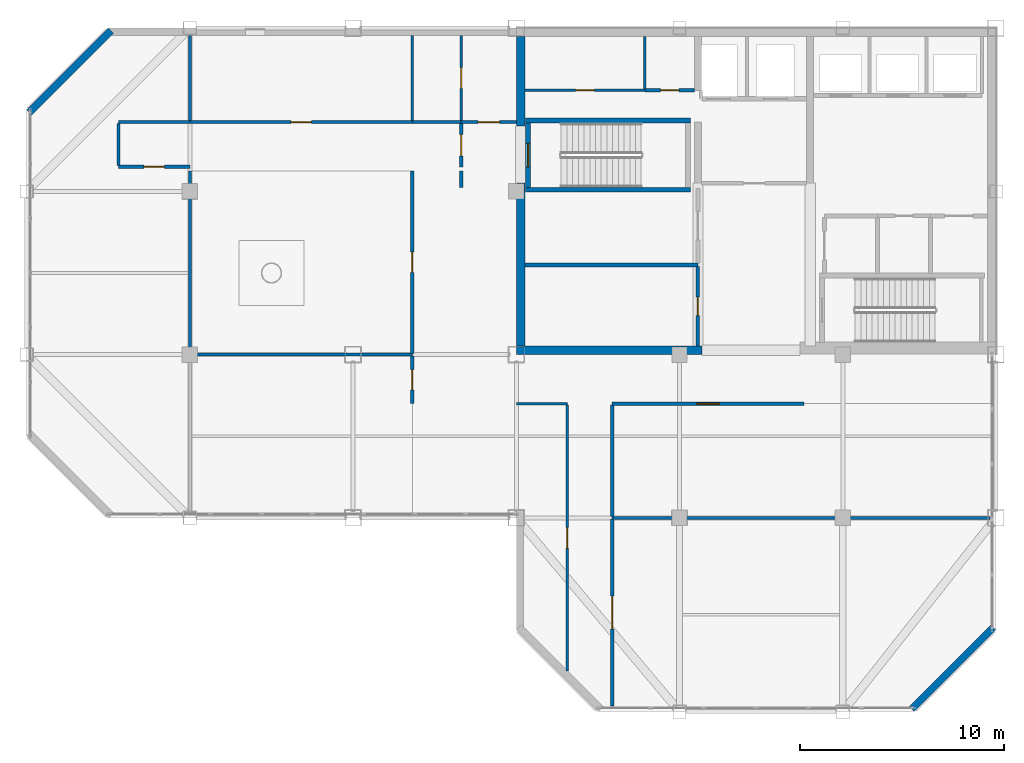
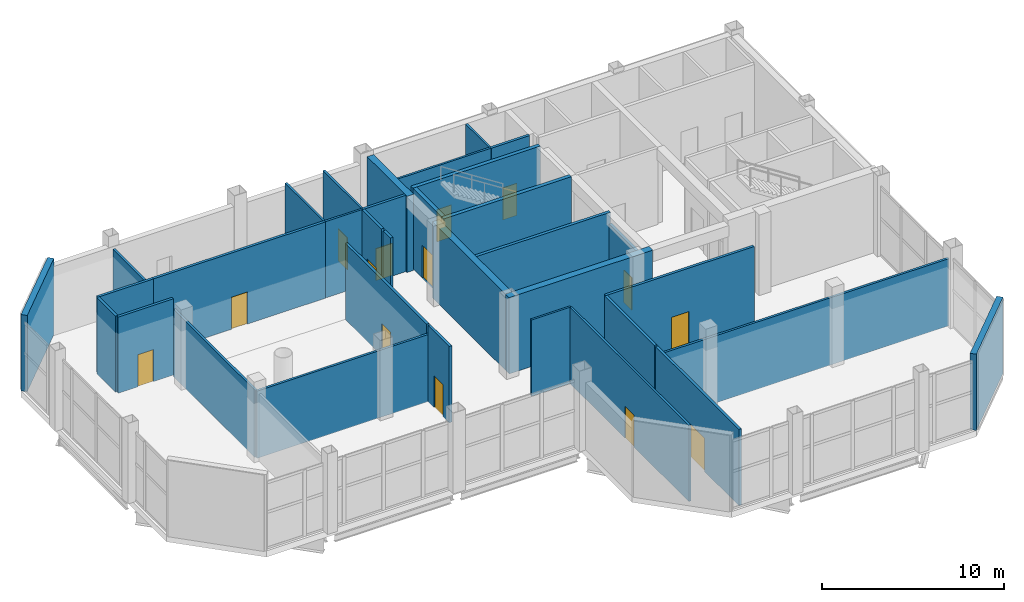
# One storey, part 12 of 17: 34 walls, 14 doors, 14 openings.
"""IFC4 building model written with IfcOpenShell, lengths in metres."""

from ifc_helpers import new_model, si_unit, direction, frame, frame_2d, origin, place, context, subcontext, project, spatial, rectangle, extrude, material, layer, layer_set, type_object, element, fill, save


model = new_model("IFC4")

# Units and contexts
model_context = context("Model", 3, precision=1e-05, world=origin(), true_north=direction((0.0, 1.0)))
body_context = subcontext(model_context, "Body", "Model", "MODEL_VIEW")
ifc_project = project(units=[si_unit("LENGTHUNIT", "METRE"), si_unit("AREAUNIT", "SQUARE_METRE"), si_unit("VOLUMEUNIT", "CUBIC_METRE"), si_unit("PLANEANGLEUNIT", "RADIAN"), si_unit("MASSUNIT", "GRAM", prefix="KILO")], contexts=[model_context])

# Site, building, storey
site_placement = place(None, origin())
site = spatial("IfcSite", under=ifc_project, at=site_placement, CompositionType="ELEMENT")
building_placement = place(site_placement, origin())
building = spatial("IfcBuilding", under=site, at=building_placement, Name="Qianrong Seaharbour Tower", CompositionType="ELEMENT")
storey_placement = place(building_placement, frame((0.0, 0.0, 373.0)))
storey = spatial("IfcBuildingStorey", under=building, at=storey_placement, Name="L90", CompositionType="ELEMENT", Elevation=373.0)

# Walls
ifc_material_1 = material(Name="Concrete C50/60", Category="concrete")
ifc_layer_1 = layer(ifc_material_1, 0.419921875)
ifc_layer_set_1 = layer_set([ifc_layer_1], Name="Concrete C50/60")
wall_type_1 = type_object("IfcWallType", Name="WALL-CORE-420", PredefinedType="SHEAR", material=ifc_layer_set_1)
wall_1_placement = place(storey_placement, frame((40.7099609375, 36.419921875, 0.0), z_axis=(0.0, 0.0, 1.0), x_axis=(0.0, 1.0, 0.0)))
element("IfcWall", 1, at=wall_1_placement, inside=storey, type_object=wall_type_1, Name="L90 West Core Shear Wall South", PredefinedType="SHEAR", context=body_context, shape_type="SweptSolid", body=[
    extrude(rectangle(XDim=7.97998046875, YDim=0.419921875, at=frame_2d((3.989990234375, 0.0))), origin(), (0.0, 0.0, 1.0), 5.110107421875),
])
wall_2_placement = place(storey_placement, frame((40.7099609375, 47.199951171875, 0.0), z_axis=(0.0, 0.0, 1.0), x_axis=(0.0, 1.0, 0.0)))
element("IfcWall", 2, at=wall_2_placement, inside=storey, type_object=wall_type_1, Name="L90 West Core Shear Wall North", PredefinedType="SHEAR", context=body_context, shape_type="SweptSolid", body=[
    extrude(rectangle(XDim=4.380126953125, YDim=0.419921875, at=frame_2d((2.18994140625, 0.0))), origin(), (0.0, 0.0, 1.0), 5.110107421875),
])
wall_3_placement = place(storey_placement, frame((40.5, 36.2099609375, 0.0), z_axis=(0.0, 0.0, 1.0), x_axis=(1.0, 0.0, 0.0)))
element("IfcWall", 3, at=wall_3_placement, inside=storey, type_object=wall_type_1, Name="L90 South Core Shear Wall S1", PredefinedType="SHEAR", context=body_context, shape_type="SweptSolid", body=[
    extrude(rectangle(XDim=9.10009765625, YDim=0.419921875, at=frame_2d((4.550048828125, 0.0))), origin(), (0.0, 0.0, 1.0), 5.110107421875),
])

# Wall, opening, door
ifc_material_2 = material(Name="Fire-rated acoustic gypsum board partition")
ifc_layer_2 = layer(ifc_material_2, 0.1650390625)
ifc_layer_set_2 = layer_set([ifc_layer_2], Name="Fire-rated acoustic gypsum board partition")
wall_type_2 = type_object("IfcWallType", Name="WALL-CORR-PART-165", PredefinedType="PARTITIONING", material=ifc_layer_set_2)
wall_4_placement = place(storey_placement, frame((37.800048828125, 47.39990234375, 0.0), z_axis=(0.0, 0.0, 1.0), x_axis=(1.0, 0.0, 0.0)))
wall_4 = element("IfcWall", 4, at=wall_4_placement, inside=storey, type_object=wall_type_2, Name="L90 Interior Partition Wall 001", PredefinedType="PARTITIONING", context=body_context, shape_type="SweptSolid", body=[
    extrude(rectangle(XDim=2.699951171875, YDim=0.1650390625, at=frame_2d((1.35009765625, 0.0))), origin(), (0.0, 0.0, 1.0), 5.110107421875),
])
opening_1_placement = place(wall_4_placement, frame((0.824951171875, 0.0, 0.0)))
opening_1 = element("IfcOpeningElement", 5, at=opening_1_placement, cuts=wall_4, Name="Opening DC-01", PredefinedType="OPENING", context=body_context, shape_type="SweptSolid", body=[
    extrude(rectangle(XDim=1.050048828125, YDim=2.14990234375, at=frame_2d((0.52490234375, 1.074951171875))), frame((0.0, 0.092529296875, 0.0), z_axis=(0.0, -1.0, 0.0), x_axis=(1.0, 0.0, 0.0)), (0.0, 0.0, 1.0), 0.18505859375),
])
ifc_material_3 = material(Name="Acoustic timber and galvanized steel fire door assembly", Category="steel")
door_type_1 = type_object("IfcDoorType", Name="DOOR-CORR-FD60-1050x2150", OperationType="NOTDEFINED", PredefinedType="DOOR", material=ifc_material_3)
door_1_placement = place(opening_1_placement, origin())
door_1 = element("IfcDoor", 6, at=door_1_placement, inside=storey, type_object=door_type_1, Name="L90 Smokeproof Stair Vestibule ST-1 Door", OperationType="SINGLE_SWING_RIGHT", OverallHeight=2.14990234375, OverallWidth=1.050048828125, PredefinedType="DOOR", context=body_context, shape_type="SweptSolid", body=[
    extrude(rectangle(XDim=1.050048828125, YDim=2.14990234375, at=frame_2d((0.52490234375, 1.074951171875))), frame((0.0, 0.02490234375, 0.0), z_axis=(0.0, -1.0, 0.0), x_axis=(1.0, 0.0, 0.0)), (0.0, 0.0, 1.0), 0.050048828125),
])
fill(opening_1, door_1)

wall_5_placement = place(storey_placement, frame((37.800048828125, 45.199951171875, 0.0), z_axis=(0.0, 0.0, 1.0), x_axis=(0.0, 1.0, 0.0)))
wall_5 = element("IfcWall", 7, at=wall_5_placement, inside=storey, type_object=wall_type_2, Name="L90 Interior Partition Wall 002", PredefinedType="PARTITIONING", context=body_context, shape_type="SweptSolid", body=[
    extrude(rectangle(XDim=2.12548828125, YDim=0.1650390625, at=frame_2d((1.062744140625, 0.0))), origin(), (0.0, 0.0, 1.0), 5.110107421875),
])
opening_2_placement = place(wall_5_placement, frame((0.537841796875, 0.0, 0.0)))
opening_2 = element("IfcOpeningElement", 8, at=opening_2_placement, cuts=wall_5, Name="Opening DC-01", PredefinedType="OPENING", context=body_context, shape_type="SweptSolid", body=[
    extrude(rectangle(XDim=1.050048828125, YDim=2.14990234375, at=frame_2d((0.52490234375, 1.074951171875))), frame((0.0, 0.092529296875, 0.0), z_axis=(0.0, -1.0, 0.0), x_axis=(1.0, 0.0, 0.0)), (0.0, 0.0, 1.0), 0.18505859375),
])
door_2_placement = place(opening_2_placement, origin())
door_2 = element("IfcDoor", 9, at=door_2_placement, inside=storey, type_object=door_type_1, Name="L90 Smokeproof Stair Vestibule ST-1 Door", OperationType="SINGLE_SWING_LEFT", OverallHeight=2.14990234375, OverallWidth=1.050048828125, PredefinedType="DOOR", context=body_context, shape_type="SweptSolid", body=[
    extrude(rectangle(XDim=1.050048828125, YDim=2.14990234375, at=frame_2d((0.52490234375, 1.074951171875))), frame((0.0, 0.02490234375, 0.0), z_axis=(0.0, -1.0, 0.0), x_axis=(1.0, 0.0, 0.0)), (0.0, 0.0, 1.0), 0.050048828125),
])
fill(opening_2, door_2)

# Wall
wall_6_placement = place(storey_placement, frame((37.800048828125, 44.199951171875, 0.0), z_axis=(0.0, 0.0, 1.0), x_axis=(0.0, 1.0, 0.0)))
element("IfcWall", 10, at=wall_6_placement, inside=storey, type_object=wall_type_2, Name="L90 Interior Partition Wall 003", PredefinedType="PARTITIONING", context=body_context, shape_type="SweptSolid", body=[
    extrude(rectangle(XDim=0.800048828125, YDim=0.1650390625, at=frame_2d((0.39990234375, 0.0))), origin(), (0.0, 0.0, 1.0), 5.110107421875),
])

# Wall, opening, door
wall_7_placement = place(storey_placement, frame((46.800048828125, 48.949951171875, 0.0), z_axis=(0.0, 0.0, 1.0), x_axis=(1.0, 0.0, 0.0)))
wall_7 = element("IfcWall", 11, at=wall_7_placement, inside=storey, type_object=wall_type_2, Name="L90 Interior Partition Wall 008", PredefinedType="PARTITIONING", context=body_context, shape_type="SweptSolid", body=[
    extrude(rectangle(XDim=2.432861328125, YDim=0.1650390625, at=frame_2d((1.21630859375, 0.0))), origin(), (0.0, 0.0, 1.0), 5.110107421875),
])
opening_3_placement = place(wall_7_placement, frame((0.7666015625, 0.0, 0.0)))
opening_3 = element("IfcOpeningElement", 12, at=opening_3_placement, cuts=wall_7, Name="Opening DS-01", PredefinedType="OPENING", context=body_context, shape_type="SweptSolid", body=[
    extrude(rectangle(XDim=0.89990234375, YDim=2.14990234375, at=frame_2d((0.449951171875, 1.074951171875))), frame((0.0, 0.092529296875, 0.0), z_axis=(0.0, -1.0, 0.0), x_axis=(1.0, 0.0, 0.0)), (0.0, 0.0, 1.0), 0.18505859375),
])
door_type_2 = type_object("IfcDoorType", Name="DOOR-STORE-900x2150", OperationType="NOTDEFINED", PredefinedType="DOOR", material=ifc_material_3)
door_3_placement = place(opening_3_placement, origin())
door_3 = element("IfcDoor", 13, at=door_3_placement, inside=storey, type_object=door_type_2, Name="L90 Janitor Store Room Door", OperationType="SINGLE_SWING_RIGHT", OverallHeight=2.14990234375, OverallWidth=0.89990234375, PredefinedType="DOOR", context=body_context, shape_type="SweptSolid", body=[
    extrude(rectangle(XDim=0.89990234375, YDim=2.14990234375, at=frame_2d((0.449951171875, 1.074951171875))), frame((0.0, 0.02490234375, 0.0), z_axis=(0.0, -1.0, 0.0), x_axis=(1.0, 0.0, 0.0)), (0.0, 0.0, 1.0), 0.050048828125),
])
fill(opening_3, door_3)

wall_8_placement = place(storey_placement, frame((49.39990234375, 36.419921875, 0.0), z_axis=(0.0, 0.0, 1.0), x_axis=(0.0, 1.0, 0.0)))
wall_8 = element("IfcWall", 14, at=wall_8_placement, inside=storey, type_object=wall_type_2, Name="L90 Interior Partition Wall 010", PredefinedType="PARTITIONING", context=body_context, shape_type="SweptSolid", body=[
    extrude(rectangle(XDim=3.89306640625, YDim=0.1650390625, at=frame_2d((1.946533203125, 0.0))), origin(), (0.0, 0.0, 1.0), 4.35205078125),
])
opening_4_placement = place(wall_8_placement, frame((1.49658203125, 0.0, 0.0)))
opening_4 = element("IfcOpeningElement", 15, at=opening_4_placement, cuts=wall_8, Name="Opening DS-01", PredefinedType="OPENING", context=body_context, shape_type="SweptSolid", body=[
    extrude(rectangle(XDim=0.89990234375, YDim=2.14990234375, at=frame_2d((0.449951171875, 1.074951171875))), frame((0.0, 0.092529296875, 0.0), z_axis=(0.0, -1.0, 0.0), x_axis=(1.0, 0.0, 0.0)), (0.0, 0.0, 1.0), 0.18505859375),
])
door_4_placement = place(opening_4_placement, origin())
door_4 = element("IfcDoor", 16, at=door_4_placement, inside=storey, type_object=door_type_2, Name="L90 Corporate Archive Room Door", OperationType="SINGLE_SWING_RIGHT", OverallHeight=2.14990234375, OverallWidth=0.89990234375, PredefinedType="DOOR", context=body_context, shape_type="SweptSolid", body=[
    extrude(rectangle(XDim=0.89990234375, YDim=2.14990234375, at=frame_2d((0.449951171875, 1.074951171875))), frame((0.0, 0.02490234375, 0.0), z_axis=(0.0, -1.0, 0.0), x_axis=(1.0, 0.0, 0.0)), (0.0, 0.0, 1.0), 0.050048828125),
])
fill(opening_4, door_4)

wall_9_placement = place(storey_placement, frame((24.5, 45.199951171875, 0.0), z_axis=(0.0, 0.0, 1.0), x_axis=(-1.0, 0.0, 0.0)))
wall_9 = element("IfcWall", 17, at=wall_9_placement, inside=storey, type_object=wall_type_2, Name="L90 Interior Partition Wall 020", PredefinedType="PARTITIONING", context=body_context, shape_type="SweptSolid", body=[
    extrude(rectangle(XDim=3.5, YDim=0.1650390625, at=frame_2d((1.75, 0.0))), origin(), (0.0, 0.0, 1.0), 5.110107421875),
])
opening_5_placement = place(wall_9_placement, frame((1.25, 0.0, 0.0)))
opening_5 = element("IfcOpeningElement", 18, at=opening_5_placement, cuts=wall_9, Name="Opening DO-01", PredefinedType="OPENING", context=body_context, shape_type="SweptSolid", body=[
    extrude(rectangle(XDim=1.0, YDim=2.14990234375, at=frame_2d((0.5, 1.074951171875))), frame((0.0, 0.092529296875, 0.0), z_axis=(0.0, -1.0, 0.0), x_axis=(1.0, 0.0, 0.0)), (0.0, 0.0, 1.0), 0.18505859375),
])
door_type_3 = type_object("IfcDoorType", Name="DOOR-OFFICE-1000x2150", OperationType="NOTDEFINED", PredefinedType="DOOR", material=ifc_material_3)
door_5_placement = place(opening_5_placement, origin())
door_5 = element("IfcDoor", 19, at=door_5_placement, inside=storey, type_object=door_type_3, Name="L90 Observatory Gallery Door", OperationType="SINGLE_SWING_LEFT", OverallHeight=2.14990234375, OverallWidth=1.0, PredefinedType="DOOR", context=body_context, shape_type="SweptSolid", body=[
    extrude(rectangle(XDim=1.0, YDim=2.14990234375, at=frame_2d((0.5, 1.074951171875))), frame((0.0, 0.02490234375, 0.0), z_axis=(0.0, -1.0, 0.0), x_axis=(1.0, 0.0, 0.0)), (0.0, 0.0, 1.0), 0.050048828125),
])
fill(opening_5, door_5)

# Walls
wall_10_placement = place(storey_placement, frame((21.0, 45.2744140625, 0.0), z_axis=(0.0, 0.0, 1.0), x_axis=(0.0, 1.0, 0.0)))
element("IfcWall", 20, at=wall_10_placement, inside=storey, type_object=wall_type_2, Name="L90 Interior Partition Wall 021", PredefinedType="PARTITIONING", context=body_context, shape_type="SweptSolid", body=[
    extrude(rectangle(XDim=2.051025390625, YDim=0.1650390625, at=frame_2d((1.025390625, 0.0))), origin(), (0.0, 0.0, 1.0), 5.110107421875),
])
wall_11_placement = place(storey_placement, frame((21.0, 47.39990234375, 0.0), z_axis=(0.0, 0.0, 1.0), x_axis=(1.0, 0.0, 0.0)))
element("IfcWall", 21, at=wall_11_placement, inside=storey, type_object=wall_type_2, Name="L90 Interior Partition Wall 022", PredefinedType="PARTITIONING", context=body_context, shape_type="SweptSolid", body=[
    extrude(rectangle(XDim=3.5, YDim=0.1650390625, at=frame_2d((1.75, 0.0))), origin(), (0.0, 0.0, 1.0), 5.110107421875),
])

# Wall, opening, door
wall_12_placement = place(storey_placement, frame((24.5, 47.39990234375, 0.0), z_axis=(0.0, 0.0, 1.0), x_axis=(1.0, 0.0, 0.0)))
wall_12 = element("IfcWall", 22, at=wall_12_placement, inside=storey, type_object=wall_type_2, Name="L90 Interior Partition Wall 023", PredefinedType="PARTITIONING", context=body_context, shape_type="SweptSolid", body=[
    extrude(rectangle(XDim=10.89990234375, YDim=0.1650390625, at=frame_2d((5.449951171875, 0.0))), origin(), (0.0, 0.0, 1.0), 5.110107421875),
])
opening_6_placement = place(wall_12_placement, frame((4.949951171875, 0.0, 0.0)))
opening_6 = element("IfcOpeningElement", 23, at=opening_6_placement, cuts=wall_12, Name="Opening DO-01", PredefinedType="OPENING", context=body_context, shape_type="SweptSolid", body=[
    extrude(rectangle(XDim=1.0, YDim=2.14990234375, at=frame_2d((0.5, 1.074951171875))), frame((0.0, 0.092529296875, 0.0), z_axis=(0.0, -1.0, 0.0), x_axis=(1.0, 0.0, 0.0)), (0.0, 0.0, 1.0), 0.18505859375),
])
door_6_placement = place(opening_6_placement, origin())
door_6 = element("IfcDoor", 24, at=door_6_placement, inside=storey, type_object=door_type_3, Name="L90 North Skyline Reading Lounge Door", OperationType="SINGLE_SWING_RIGHT", OverallHeight=2.14990234375, OverallWidth=1.0, PredefinedType="DOOR", context=body_context, shape_type="SweptSolid", body=[
    extrude(rectangle(XDim=1.0, YDim=2.14990234375, at=frame_2d((0.5, 1.074951171875))), frame((0.0, 0.02490234375, 0.0), z_axis=(0.0, -1.0, 0.0), x_axis=(1.0, 0.0, 0.0)), (0.0, 0.0, 1.0), 0.050048828125),
])
fill(opening_6, door_6)

wall_13_placement = place(storey_placement, frame((35.39990234375, 36.064453125, 0.0), z_axis=(0.0, 0.0, 1.0), x_axis=(0.0, 1.0, 0.0)))
wall_13 = element("IfcWall", 25, at=wall_13_placement, inside=storey, type_object=wall_type_2, Name="L90 Interior Partition Wall 024", PredefinedType="PARTITIONING", context=body_context, shape_type="SweptSolid", body=[
    extrude(rectangle(XDim=8.935546875, YDim=0.1650390625, at=frame_2d((4.4677734375, 0.0))), origin(), (0.0, 0.0, 1.0), 5.110107421875),
])
opening_7_placement = place(wall_13_placement, frame((3.9677734375, 0.0, 0.0)))
opening_7 = element("IfcOpeningElement", 26, at=opening_7_placement, cuts=wall_13, Name="Opening DO-01", PredefinedType="OPENING", context=body_context, shape_type="SweptSolid", body=[
    extrude(rectangle(XDim=1.0, YDim=2.14990234375, at=frame_2d((0.5, 1.074951171875))), frame((0.0, 0.092529296875, 0.0), z_axis=(0.0, -1.0, 0.0), x_axis=(1.0, 0.0, 0.0)), (0.0, 0.0, 1.0), 0.18505859375),
])
door_7_placement = place(opening_7_placement, origin())
door_7 = element("IfcDoor", 27, at=door_7_placement, inside=storey, type_object=door_type_3, Name="L90 Heritage Exhibition Hall Door", OperationType="SINGLE_SWING_RIGHT", OverallHeight=2.14990234375, OverallWidth=1.0, PredefinedType="DOOR", context=body_context, shape_type="SweptSolid", body=[
    extrude(rectangle(XDim=1.0, YDim=2.14990234375, at=frame_2d((0.5, 1.074951171875))), frame((0.0, 0.02490234375, 0.0), z_axis=(0.0, -1.0, 0.0), x_axis=(1.0, 0.0, 0.0)), (0.0, 0.0, 1.0), 0.050048828125),
])
fill(opening_7, door_7)

wall_14_placement = place(storey_placement, frame((35.39990234375, 33.60009765625, 0.0), z_axis=(0.0, 0.0, 1.0), x_axis=(0.0, 1.0, 0.0)))
wall_14 = element("IfcWall", 28, at=wall_14_placement, inside=storey, type_object=wall_type_2, Name="L90 Interior Partition Wall 025", PredefinedType="PARTITIONING", context=body_context, shape_type="SweptSolid", body=[
    extrude(rectangle(XDim=2.33544921875, YDim=0.1650390625, at=frame_2d((1.167724609375, 0.0))), origin(), (0.0, 0.0, 1.0), 5.110107421875),
])
opening_8_placement = place(wall_14_placement, frame((0.667724609375, 0.0, 0.0)))
opening_8 = element("IfcOpeningElement", 29, at=opening_8_placement, cuts=wall_14, Name="Opening DO-01", PredefinedType="OPENING", context=body_context, shape_type="SweptSolid", body=[
    extrude(rectangle(XDim=1.0, YDim=2.14990234375, at=frame_2d((0.5, 1.074951171875))), frame((0.0, 0.092529296875, 0.0), z_axis=(0.0, -1.0, 0.0), x_axis=(1.0, 0.0, 0.0)), (0.0, 0.0, 1.0), 0.18505859375),
])
door_8_placement = place(opening_8_placement, origin())
door_8 = element("IfcDoor", 30, at=door_8_placement, inside=storey, type_object=door_type_3, Name="L90 Observatory Operations Open-Plan Office Door", OperationType="SINGLE_SWING_LEFT", OverallHeight=2.14990234375, OverallWidth=1.0, PredefinedType="DOOR", context=body_context, shape_type="SweptSolid", body=[
    extrude(rectangle(XDim=1.0, YDim=2.14990234375, at=frame_2d((0.5, 1.074951171875))), frame((0.0, 0.02490234375, 0.0), z_axis=(0.0, -1.0, 0.0), x_axis=(1.0, 0.0, 0.0)), (0.0, 0.0, 1.0), 0.050048828125),
])
fill(opening_8, door_8)

wall_15_placement = place(storey_placement, frame((54.60009765625, 33.60009765625, 0.0), z_axis=(0.0, 0.0, 1.0), x_axis=(-1.0, 0.0, 0.0)))
wall_15 = element("IfcWall", 31, at=wall_15_placement, inside=storey, type_object=wall_type_2, Name="L90 Interior Partition Wall 026", PredefinedType="PARTITIONING", context=body_context, shape_type="SweptSolid", body=[
    extrude(rectangle(XDim=9.400146484375, YDim=0.1650390625, at=frame_2d((4.7001953125, 0.0))), origin(), (0.0, 0.0, 1.0), 5.110107421875),
])
opening_9_placement = place(wall_15_placement, frame((4.14990234375, 0.0, 0.0)))
opening_9 = element("IfcOpeningElement", 32, at=opening_9_placement, cuts=wall_15, Name="Opening DM-01", PredefinedType="OPENING", context=body_context, shape_type="SweptSolid", body=[
    extrude(rectangle(XDim=1.10009765625, YDim=2.199951171875, at=frame_2d((0.550048828125, 1.10009765625))), frame((0.0, 0.092529296875, 0.0), z_axis=(0.0, -1.0, 0.0), x_axis=(1.0, 0.0, 0.0)), (0.0, 0.0, 1.0), 0.18505859375),
])
door_type_4 = type_object("IfcDoorType", Name="DOOR-MEET-1100x2200", OperationType="NOTDEFINED", PredefinedType="DOOR", material=ifc_material_3)
door_9_placement = place(opening_9_placement, origin())
door_9 = element("IfcDoor", 33, at=door_9_placement, inside=storey, type_object=door_type_4, Name="L90 Maritime History Briefing Room Door", OperationType="SINGLE_SWING_RIGHT", OverallHeight=2.199951171875, OverallWidth=1.10009765625, PredefinedType="DOOR", context=body_context, shape_type="SweptSolid", body=[
    extrude(rectangle(XDim=1.10009765625, YDim=2.199951171875, at=frame_2d((0.550048828125, 1.10009765625))), frame((0.0, 0.02490234375, 0.0), z_axis=(0.0, -1.0, 0.0), x_axis=(1.0, 0.0, 0.0)), (0.0, 0.0, 1.0), 0.050048828125),
])
fill(opening_9, door_9)

wall_16_placement = place(storey_placement, frame((45.199951171875, 27.935546875, 0.0), z_axis=(0.0, 0.0, 1.0), x_axis=(0.0, -1.0, 0.0)))
wall_16 = element("IfcWall", 34, at=wall_16_placement, inside=storey, type_object=wall_type_2, Name="L90 Interior Partition Wall 028", PredefinedType="PARTITIONING", context=body_context, shape_type="SweptSolid", body=[
    extrude(rectangle(XDim=9.153564453125, YDim=0.1650390625, at=frame_2d((4.57666015625, 0.0))), origin(), (0.0, 0.0, 1.0), 5.110107421875),
])
opening_10_placement = place(wall_16_placement, frame((3.776611328125, 0.0, 0.0)))
opening_10 = element("IfcOpeningElement", 35, at=opening_10_placement, cuts=wall_16, Name="Opening DL-01", PredefinedType="OPENING", context=body_context, shape_type="SweptSolid", body=[
    extrude(rectangle(XDim=1.60009765625, YDim=2.25, at=frame_2d((0.800048828125, 1.125))), frame((0.0, 0.092529296875, 0.0), z_axis=(0.0, -1.0, 0.0), x_axis=(1.0, 0.0, 0.0)), (0.0, 0.0, 1.0), 0.18505859375),
])
door_type_5 = type_object("IfcDoorType", Name="DOOR-LOBBY-PAIR-1600x2250", OperationType="DOUBLE_DOOR_SINGLE_SWING", PredefinedType="DOOR", material=ifc_material_3)
door_10_placement = place(opening_10_placement, origin())
door_10 = element("IfcDoor", 36, at=door_10_placement, inside=storey, type_object=door_type_5, Name="L90 Lantern Sky Bistro Door", OperationType="DOUBLE_DOOR_SINGLE_SWING", OverallHeight=2.25, OverallWidth=1.60009765625, PredefinedType="DOOR", context=body_context, shape_type="SweptSolid", body=[
    extrude(rectangle(XDim=1.60009765625, YDim=2.25, at=frame_2d((0.800048828125, 1.125))), frame((0.0, 0.02490234375, 0.0), z_axis=(0.0, -1.0, 0.0), x_axis=(1.0, 0.0, 0.0)), (0.0, 0.0, 1.0), 0.050048828125),
])
fill(opening_10, door_10)

# Walls
wall_17_placement = place(storey_placement, frame((45.199951171875, 33.525390625, 0.0), z_axis=(0.0, 0.0, 1.0), x_axis=(0.0, -1.0, 0.0)))
element("IfcWall", 37, at=wall_17_placement, inside=storey, type_object=wall_type_2, Name="L90 Interior Partition Wall 029", PredefinedType="PARTITIONING", context=body_context, shape_type="SweptSolid", body=[
    extrude(rectangle(XDim=5.4609375, YDim=0.1650390625, at=frame_2d((2.73046875, 0.0))), origin(), (0.0, 0.0, 1.0), 5.110107421875),
])
ifc_material_4 = material(Name="Unitised red brick on Precast concrete C45/55", Category="masonry")
ifc_layer_3 = layer(ifc_material_4, 0.360107421875)
ifc_layer_set_3 = layer_set([ifc_layer_3], Name="Unitised red brick on Precast concrete C45/55")
wall_type_3 = type_object("IfcWallType", Name="WALL-EXT-BRICK-RED-360", PredefinedType="SOLIDWALL", material=ifc_layer_set_3)
for number, where, z_axis, x_axis, name in (
    (38, (16.627197265625, 47.872802734375, 0.0), (0.0, 0.0, 1.0), (0.707106781187, 0.707106781187, 0.0), "L90 Exterior Masonry Facade Wall E04"),
    (39, (63.872802734375, 22.627197265625, 0.0), (0.0, 0.0, 1.0), (-0.707106781187, -0.707106781187, 0.0), "L90 Exterior Masonry Facade Wall E07"),
):
    element("IfcWall", number, at=place(storey_placement, frame(where, z_axis=z_axis, x_axis=x_axis)), inside=storey, type_object=wall_type_3, Name=name, PredefinedType="SOLIDWALL", context=body_context, shape_type="SweptSolid", body=[
        extrude(rectangle(XDim=5.65673828125, YDim=0.360107421875, at=frame_2d((2.828369140625, 0.0))), origin(), (0.0, 0.0, 1.0), 5.110107421875),
    ])
ifc_material_5 = material(Name="Double fire-rated gypsum board acoustic partition")
ifc_layer_4 = layer(ifc_material_5, 0.18994140625)
ifc_layer_set_4 = layer_set([ifc_layer_4], Name="Double fire-rated gypsum board acoustic partition")
wall_type_4 = type_object("IfcWallType", Name="WALL-FIRE-PART-190", PredefinedType="PARTITIONING", material=ifc_layer_set_4)
wall_18_placement = place(storey_placement, frame((40.919921875, 40.39990234375, 0.0), z_axis=(0.0, 0.0, 1.0), x_axis=(1.0, 0.0, 0.0)))
element("IfcWall", 40, at=wall_18_placement, inside=storey, type_object=wall_type_4, Name="L90 Interior Partition Wall 013", PredefinedType="PARTITIONING", context=body_context, shape_type="SweptSolid", body=[
    extrude(rectangle(XDim=8.47998046875, YDim=0.18994140625, at=frame_2d((4.239990234375, 0.0))), origin(), (0.0, 0.0, 1.0), 5.110107421875),
])
ifc_material_6 = material(Name="Acoustic gypsum board stud partition")
ifc_layer_5 = layer(ifc_material_6, 0.14501953125)
ifc_layer_set_5 = layer_set([ifc_layer_5], Name="Acoustic gypsum board stud partition")
wall_type_5 = type_object("IfcWallType", Name="WALL-OFFICE-PART-145", PredefinedType="PARTITIONING", material=ifc_layer_set_5)
wall_19_placement = place(storey_placement, frame((24.5, 36.064453125, 0.0), z_axis=(0.0, 0.0, 1.0), x_axis=(0.0, 1.0, 0.0)))
element("IfcWall", 41, at=wall_19_placement, inside=storey, type_object=wall_type_5, Name="L90 Interior Partition Wall 031", PredefinedType="PARTITIONING", context=body_context, shape_type="SweptSolid", body=[
    extrude(rectangle(XDim=8.935546875, YDim=0.14501953125, at=frame_2d((4.4677734375, 0.0))), origin(), (0.0, 0.0, 1.0), 4.501953125),
])
wall_20_placement = place(storey_placement, frame((35.39990234375, 36.0, 0.0), z_axis=(0.0, 0.0, 1.0), x_axis=(-1.0, 0.0, 0.0)))
element("IfcWall", 42, at=wall_20_placement, inside=storey, type_object=wall_type_5, Name="L90 Interior Partition Wall 032", PredefinedType="PARTITIONING", context=body_context, shape_type="SweptSolid", body=[
    extrude(rectangle(XDim=10.89990234375, YDim=0.14501953125, at=frame_2d((5.449951171875, 0.0))), origin(), (0.0, 0.0, 1.0), 4.501953125),
])
wall_21_placement = place(storey_placement, frame((24.5, 51.64794921875, 0.0), z_axis=(0.0, 0.0, 1.0), x_axis=(0.0, -1.0, 0.0)))
element("IfcWall", 43, at=wall_21_placement, inside=storey, type_object=wall_type_5, Name="L90 Interior Partition Wall 033", PredefinedType="PARTITIONING", context=body_context, shape_type="SweptSolid", body=[
    extrude(rectangle(XDim=4.17333984375, YDim=0.14501953125, at=frame_2d((2.086669921875, 0.0))), origin(), (0.0, 0.0, 1.0), 4.501953125),
])
wall_22_placement = place(storey_placement, frame((45.199951171875, 28.0, 0.0), z_axis=(0.0, 0.0, 1.0), x_axis=(1.0, 0.0, 0.0)))
element("IfcWall", 44, at=wall_22_placement, inside=storey, type_object=wall_type_5, Name="L90 Interior Partition Wall 035", PredefinedType="PARTITIONING", context=body_context, shape_type="SweptSolid", body=[
    extrude(rectangle(XDim=18.51806640625, YDim=0.14501953125, at=frame_2d((9.259033203125, 0.0))), origin(), (0.0, 0.0, 1.0), 4.501953125),
])
ifc_layer_6 = layer(ifc_material_1, 0.239990234375)
ifc_layer_set_6 = layer_set([ifc_layer_6], Name="Concrete C50/60")
wall_type_6 = type_object("IfcWallType", Name="WALL-SHAFT-RC240", PredefinedType="SOLIDWALL", material=ifc_layer_set_6)
for number, where, z_axis, x_axis, name in (
    (45, (40.9599609375, 47.469970703125, 0.0), (0.0, 0.0, 1.0), (1.0, 0.0, 0.0), "L90 ST-1 Structural Stair Core Wall N"),
    (46, (49.0400390625, 44.080078125, 0.0), (0.0, 0.0, 1.0), (-1.0, 0.0, 0.0), "L90 ST-1 Structural Stair Core Wall S"),
):
    element("IfcWall", number, at=place(storey_placement, frame(where, z_axis=z_axis, x_axis=x_axis)), inside=storey, type_object=wall_type_6, Name=name, PredefinedType="SOLIDWALL", context=body_context, shape_type="SweptSolid", body=[
        extrude(rectangle(XDim=8.080078125, YDim=0.239990234375, at=frame_2d((4.0400390625, 0.0))), origin(), (0.0, 0.0, 1.0), 5.39990234375),
    ])

# Wall, opening, door
wall_23_placement = place(storey_placement, frame((41.080078125, 47.35009765625, 0.0), z_axis=(0.0, 0.0, 1.0), x_axis=(0.0, -1.0, 0.0)))
wall_23 = element("IfcWall", 47, at=wall_23_placement, inside=storey, type_object=wall_type_6, Name="L90 ST-1 Structural Stair Core Wall W", PredefinedType="SOLIDWALL", context=body_context, shape_type="SweptSolid", body=[
    extrude(rectangle(XDim=3.150146484375, YDim=0.239990234375, at=frame_2d((1.5751953125, 0.0))), origin(), (0.0, 0.0, 1.0), 5.39990234375),
])
opening_11_placement = place(wall_23_placement, frame((1.0, 0.0, 0.0)))
opening_11 = element("IfcOpeningElement", 48, at=opening_11_placement, cuts=wall_23, Name="Opening SD-01", PredefinedType="OPENING", context=body_context, shape_type="SweptSolid", body=[
    extrude(rectangle(XDim=1.14990234375, YDim=2.199951171875, at=frame_2d((0.574951171875, 1.10009765625))), frame((0.0, 0.1298828125, 0.0), z_axis=(0.0, -1.0, 0.0), x_axis=(1.0, 0.0, 0.0)), (0.0, 0.0, 1.0), 0.260009765625),
])
door_type_6 = type_object("IfcDoorType", Name="DOOR-STAIR-FD60-1150x2200", OperationType="NOTDEFINED", PredefinedType="DOOR", material=ifc_material_3)
door_11_placement = place(opening_11_placement, origin())
door_11 = element("IfcDoor", 49, at=door_11_placement, inside=storey, type_object=door_type_6, Name="L90 ST-1 Protected Stair Door", OperationType="SINGLE_SWING_LEFT", OverallHeight=2.199951171875, OverallWidth=1.14990234375, PredefinedType="DOOR", context=body_context, shape_type="SweptSolid", body=[
    extrude(rectangle(XDim=1.14990234375, YDim=2.199951171875, at=frame_2d((0.574951171875, 1.10009765625))), frame((0.0, 0.02490234375, 0.0), z_axis=(0.0, -1.0, 0.0), x_axis=(1.0, 0.0, 0.0)), (0.0, 0.0, 1.0), 0.050048828125),
])
fill(opening_11, door_11)

ifc_material_7 = material(Name="Water-resistant cement board sanitary partition")
ifc_layer_7 = layer(ifc_material_7, 0.1298828125)
ifc_layer_set_7 = layer_set([ifc_layer_7], Name="Water-resistant cement board sanitary partition")
wall_type_7 = type_object("IfcWallType", Name="WALL-WET-PART-130", PredefinedType="PARTITIONING", material=ifc_layer_set_7)
wall_24_placement = place(storey_placement, frame((37.800048828125, 47.474609375, 0.0), z_axis=(0.0, 0.0, 1.0), x_axis=(0.0, 1.0, 0.0)))
wall_24 = element("IfcWall", 50, at=wall_24_placement, inside=storey, type_object=wall_type_7, Name="L90 Interior Partition Wall 004", PredefinedType="PARTITIONING", context=body_context, shape_type="SweptSolid", body=[
    extrude(rectangle(XDim=4.17333984375, YDim=0.1298828125, at=frame_2d((2.086669921875, 0.0))), origin(), (0.0, 0.0, 1.0), 5.110107421875),
])
opening_12_placement = place(wall_24_placement, frame((1.57666015625, 0.0, 0.0)))
opening_12 = element("IfcOpeningElement", 51, at=opening_12_placement, cuts=wall_24, Name="Opening DAW-01", PredefinedType="OPENING", context=body_context, shape_type="SweptSolid", body=[
    extrude(rectangle(XDim=1.02001953125, YDim=2.14990234375, at=frame_2d((0.510009765625, 1.074951171875))), frame((0.0, 0.074951171875, 0.0), z_axis=(0.0, -1.0, 0.0), x_axis=(1.0, 0.0, 0.0)), (0.0, 0.0, 1.0), 0.14990234375),
])
door_type_7 = type_object("IfcDoorType", Name="DOOR-AWC-SLIDE-1020x2150", OperationType="SLIDING_TO_LEFT", PredefinedType="DOOR", material=ifc_material_3)
door_12_placement = place(opening_12_placement, origin())
door_12 = element("IfcDoor", 52, at=door_12_placement, inside=storey, type_object=door_type_7, Name="L90 Accessible Restroom WC Door", OperationType="SLIDING_TO_LEFT", OverallHeight=2.14990234375, OverallWidth=1.02001953125, PredefinedType="DOOR", context=body_context, shape_type="SweptSolid", body=[
    extrude(rectangle(XDim=1.02001953125, YDim=2.14990234375, at=frame_2d((0.510009765625, 1.074951171875))), frame((0.0, 0.02490234375, 0.0), z_axis=(0.0, -1.0, 0.0), x_axis=(1.0, 0.0, 0.0)), (0.0, 0.0, 1.0), 0.050048828125),
])
fill(opening_12, door_12)

# Walls
wall_25_placement = place(storey_placement, frame((37.800048828125, 47.39990234375, 0.0), z_axis=(0.0, 0.0, 1.0), x_axis=(-1.0, 0.0, 0.0)))
element("IfcWall", 53, at=wall_25_placement, inside=storey, type_object=wall_type_7, Name="L90 Interior Partition Wall 005", PredefinedType="PARTITIONING", context=body_context, shape_type="SweptSolid", body=[
    extrude(rectangle(XDim=2.400146484375, YDim=0.1298828125, at=frame_2d((1.2001953125, 0.0))), origin(), (0.0, 0.0, 1.0), 5.110107421875),
])
wall_26_placement = place(storey_placement, frame((35.39990234375, 47.474609375, 0.0), z_axis=(0.0, 0.0, 1.0), x_axis=(0.0, 1.0, 0.0)))
element("IfcWall", 54, at=wall_26_placement, inside=storey, type_object=wall_type_7, Name="L90 Interior Partition Wall 006", PredefinedType="PARTITIONING", context=body_context, shape_type="SweptSolid", body=[
    extrude(rectangle(XDim=4.17333984375, YDim=0.1298828125, at=frame_2d((2.086669921875, 0.0))), origin(), (0.0, 0.0, 1.0), 5.110107421875),
])

# Wall, opening, door
wall_27_placement = place(storey_placement, frame((40.919921875, 48.949951171875, 0.0), z_axis=(0.0, 0.0, 1.0), x_axis=(1.0, 0.0, 0.0)))
wall_27 = element("IfcWall", 55, at=wall_27_placement, inside=storey, type_object=wall_type_7, Name="L90 Interior Partition Wall 007", PredefinedType="PARTITIONING", context=body_context, shape_type="SweptSolid", body=[
    extrude(rectangle(XDim=5.880126953125, YDim=0.1298828125, at=frame_2d((2.93994140625, 0.0))), origin(), (0.0, 0.0, 1.0), 5.110107421875),
])
opening_13_placement = place(wall_27_placement, frame((2.47998046875, 0.0, 0.0)))
opening_13 = element("IfcOpeningElement", 56, at=opening_13_placement, cuts=wall_27, Name="Opening DW-01", PredefinedType="OPENING", context=body_context, shape_type="SweptSolid", body=[
    extrude(rectangle(XDim=0.919921875, YDim=2.14990234375, at=frame_2d((0.4599609375, 1.074951171875))), frame((0.0, 0.074951171875, 0.0), z_axis=(0.0, -1.0, 0.0), x_axis=(1.0, 0.0, 0.0)), (0.0, 0.0, 1.0), 0.14990234375),
])
door_type_8 = type_object("IfcDoorType", Name="DOOR-WC-920x2150", OperationType="NOTDEFINED", PredefinedType="DOOR", material=ifc_material_3)
door_13_placement = place(opening_13_placement, origin())
door_13 = element("IfcDoor", 57, at=door_13_placement, inside=storey, type_object=door_type_8, Name="L90 Restroom WC Suite Door", OperationType="SINGLE_SWING_LEFT", OverallHeight=2.14990234375, OverallWidth=0.919921875, PredefinedType="DOOR", context=body_context, shape_type="SweptSolid", body=[
    extrude(rectangle(XDim=0.919921875, YDim=2.14990234375, at=frame_2d((0.4599609375, 1.074951171875))), frame((0.0, 0.02490234375, 0.0), z_axis=(0.0, -1.0, 0.0), x_axis=(1.0, 0.0, 0.0)), (0.0, 0.0, 1.0), 0.050048828125),
])
fill(opening_13, door_13)

# Walls
wall_28_placement = place(storey_placement, frame((46.800048828125, 51.580078125, 0.0), z_axis=(0.0, 0.0, 1.0), x_axis=(0.0, -1.0, 0.0)))
element("IfcWall", 58, at=wall_28_placement, inside=storey, type_object=wall_type_7, Name="L90 Interior Partition Wall 017", PredefinedType="PARTITIONING", context=body_context, shape_type="SweptSolid", body=[
    extrude(rectangle(XDim=2.5556640625, YDim=0.1298828125, at=frame_2d((1.27783203125, 0.0))), origin(), (0.0, 0.0, 1.0), 5.110107421875),
])
wall_29_placement = place(storey_placement, frame((43.0, 33.60009765625, 0.0), z_axis=(0.0, 0.0, 1.0), x_axis=(-1.0, 0.0, 0.0)))
element("IfcWall", 59, at=wall_29_placement, inside=storey, type_object=wall_type_7, Name="L90 Interior Partition Wall 027", PredefinedType="PARTITIONING", context=body_context, shape_type="SweptSolid", body=[
    extrude(rectangle(XDim=2.5, YDim=0.1298828125, at=frame_2d((1.25, 0.0))), origin(), (0.0, 0.0, 1.0), 5.110107421875),
])

# Wall, opening, door
wall_30_placement = place(storey_placement, frame((43.0, 20.497802734375, 0.0), z_axis=(0.0, 0.0, 1.0), x_axis=(0.0, 1.0, 0.0)))
wall_30 = element("IfcWall", 60, at=wall_30_placement, inside=storey, type_object=wall_type_7, Name="L90 Interior Partition Wall 030", PredefinedType="PARTITIONING", context=body_context, shape_type="SweptSolid", body=[
    extrude(rectangle(XDim=13.045166015625, YDim=0.1298828125, at=frame_2d((6.5224609375, 0.0))), origin(), (0.0, 0.0, 1.0), 5.110107421875),
])
opening_14_placement = place(wall_30_placement, frame((6.022705078125, 0.0, 0.0)))
opening_14 = element("IfcOpeningElement", 61, at=opening_14_placement, cuts=wall_30, Name="Opening DO-01", PredefinedType="OPENING", context=body_context, shape_type="SweptSolid", body=[
    extrude(rectangle(XDim=1.0, YDim=2.14990234375, at=frame_2d((0.5, 1.074951171875))), frame((0.0, 0.074951171875, 0.0), z_axis=(0.0, -1.0, 0.0), x_axis=(1.0, 0.0, 0.0)), (0.0, 0.0, 1.0), 0.14990234375),
])
door_14_placement = place(opening_14_placement, origin())
door_14 = element("IfcDoor", 62, at=door_14_placement, inside=storey, type_object=door_type_3, Name="L90 Wet Pantry Door", OperationType="SINGLE_SWING_LEFT", OverallHeight=2.14990234375, OverallWidth=1.0, PredefinedType="DOOR", context=body_context, shape_type="SweptSolid", body=[
    extrude(rectangle(XDim=1.0, YDim=2.14990234375, at=frame_2d((0.5, 1.074951171875))), frame((0.0, 0.02490234375, 0.0), z_axis=(0.0, -1.0, 0.0), x_axis=(1.0, 0.0, 0.0)), (0.0, 0.0, 1.0), 0.050048828125),
])
fill(opening_14, door_14)

save(model, "model.ifc")
